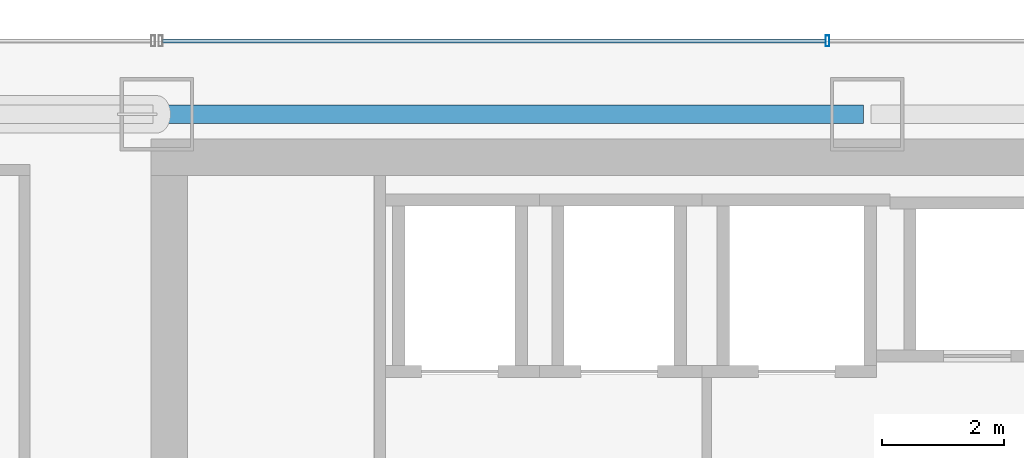
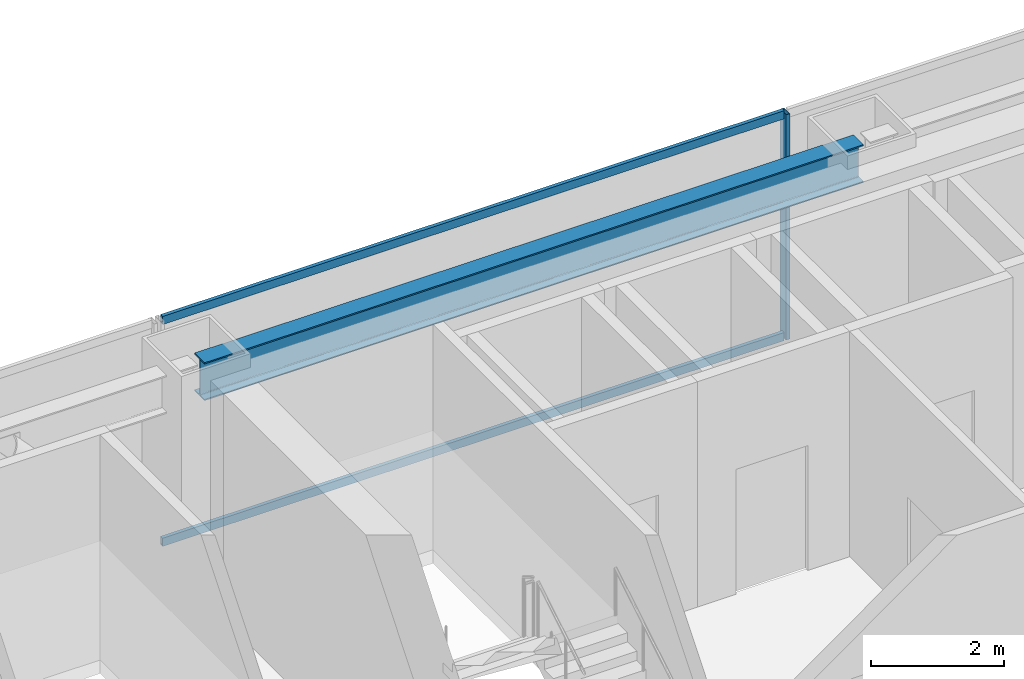
# One storey, part 27 of 47: 3 members, 1 beam, 1 element without a shape of its own.
"""IFC4 building model written with IfcOpenShell, lengths in metres."""

from ifc_helpers import new_model, si_unit, direction, frame, origin, origin_2d, place, context, subcontext, project, spatial, hollow_rectangle, i_section, extrude, material, material_profile, profile_set, type_object, element, aggregate, save


model = new_model("IFC4")

# Units and contexts
model_context = context("Model", 3, precision=1e-05, world=origin(), true_north=direction((0.0, 1.0)))
body_context = subcontext(model_context, "Body", "Model", "MODEL_VIEW")
ifc_project = project(units=[si_unit("LENGTHUNIT", "METRE"), si_unit("AREAUNIT", "SQUARE_METRE"), si_unit("VOLUMEUNIT", "CUBIC_METRE"), si_unit("PLANEANGLEUNIT", "RADIAN"), si_unit("MASSUNIT", "GRAM", prefix="KILO")], contexts=[model_context])

# Site, building, storey
site_placement = place(None, origin())
site = spatial("IfcSite", under=ifc_project, at=site_placement, CompositionType="ELEMENT")
building_placement = place(site_placement, origin())
building = spatial("IfcBuilding", under=site, at=building_placement, Name="Saevonmaru Cultural Tower", CompositionType="ELEMENT")
storey_placement = place(building_placement, frame((0.0, 0.0, 69.199951171875)))
storey = spatial("IfcBuildingStorey", under=building, at=storey_placement, Name="L14", CompositionType="ELEMENT", Elevation=69.199951171875)

# Beam
ifc_material_1 = material(Name="Steel SM355", Category="steel")
ifc_material_profile_1 = material_profile(ifc_material_1, i_section(OverallWidth=0.300048828125, OverallDepth=0.699951171875, WebThickness=0.012939453125, FlangeThickness=0.02392578125, FilletRadius=0.02587890625, at=origin_2d()), Name="H-700x300x13x24")
ifc_profile_set_1 = profile_set([ifc_material_profile_1], Name="Steel SM355")
beam_type = type_object("IfcBeamType", Name="BM-SP-H700", PredefinedType="SPANDREL", material=ifc_profile_set_1)
beam_placement = place(storey_placement, frame((13.659912109375, 54.800048828125, 3.800048828125), z_axis=(1.0, 0.0, 0.0), x_axis=(0.0, 1.0, 0.0)))
element("IfcBeam", 1, at=beam_placement, inside=storey, type_object=beam_type, Name="L14 North Spine Girder 2", PredefinedType="SPANDREL", context=body_context, shape_type="SweptSolid", body=[
    extrude(i_section(OverallWidth=0.300048828125, OverallDepth=0.699951171875, WebThickness=0.012939453125, FlangeThickness=0.02392578125, FilletRadius=0.02587890625, at=origin_2d()), origin(), (0.0, 0.0, 1.0), 11.47998046875),
])

# Curtain wall, members
ifc_material_2 = material(Name="Satin Bronze Anodised Aluminium", Category="aluminium")
curtain_wall_type = type_object("IfcCurtainWallType", Name="CW-TYP-A", PredefinedType="NOTDEFINED", material=ifc_material_2)
curtain_wall_placement = place(storey_placement, origin())
curtain_wall = element("IfcCurtainWall", 2, at=curtain_wall_placement, inside=storey, type_object=curtain_wall_type, Name="L14 North Spine Unitised Curtain Wall E10B", PredefinedType="NOTDEFINED")
ifc_material_profile_2 = material_profile(ifc_material_2, hollow_rectangle(XDim=0.06494140625, YDim=0.179931640625, WallThickness=0.00390625, at=origin_2d()), Name="ALU-MULL-180x65x4")
ifc_profile_set_2 = profile_set([ifc_material_profile_2], Name="Satin Bronze Anodised Aluminium")
member_type_1 = type_object("IfcMemberType", Name="ML-CW-180x65", PredefinedType="MULLION", material=ifc_profile_set_2)
member_1_placement = place(storey_placement, frame((24.55322265625, 56.0, 0.0), z_axis=(0.0, 0.0, 1.0), x_axis=(-1.0, 0.0, 0.0)))
member_1 = element("IfcMember", 3, at=member_1_placement, type_object=member_type_1, Name="CW-TW-L14-E10B mullion 3", PredefinedType="MULLION", context=body_context, shape_type="SweptSolid", body=[
    extrude(hollow_rectangle(XDim=0.06494140625, YDim=0.179931640625, WallThickness=0.00390625, at=origin_2d()), origin(), (0.0, 0.0, 1.0), 4.150146484375),
])
ifc_material_profile_3 = material_profile(ifc_material_2, hollow_rectangle(XDim=0.06494140625, YDim=0.14990234375, WallThickness=0.00390625, at=origin_2d()), Name="ALU-TRAN-150x65x4")
ifc_profile_set_3 = profile_set([ifc_material_profile_3], Name="Satin Bronze Anodised Aluminium")
member_type_2 = type_object("IfcMemberType", Name="TR-CW-150x65", PredefinedType="USERDEFINED", material=ifc_profile_set_3)
member_2_placement = place(storey_placement, frame((24.520751953125, 56.0, 0.032470703125), z_axis=(-1.0, 0.0, 0.0), x_axis=(0.0, -1.0, 0.0)))
member_2 = element("IfcMember", 4, at=member_2_placement, type_object=member_type_2, Name="CW-TW-L14-E10B transom 3.1", ObjectType="TRANSOM", PredefinedType="USERDEFINED", context=body_context, shape_type="SweptSolid", body=[
    extrude(hollow_rectangle(XDim=0.06494140625, YDim=0.14990234375, WallThickness=0.00390625, at=origin_2d()), origin(), (0.0, 0.0, 1.0), 10.828369140625),
])
member_3_placement = place(storey_placement, frame((24.520751953125, 56.0, 4.117431640625), z_axis=(-1.0, 0.0, 0.0), x_axis=(0.0, -1.0, 0.0)))
member_3 = element("IfcMember", 5, at=member_3_placement, type_object=member_type_2, Name="CW-TW-L14-E10B transom 3.2", ObjectType="TRANSOM", PredefinedType="USERDEFINED", context=body_context, shape_type="SweptSolid", body=[
    extrude(hollow_rectangle(XDim=0.06494140625, YDim=0.14990234375, WallThickness=0.00390625, at=origin_2d()), origin(), (0.0, 0.0, 1.0), 10.828369140625),
])
aggregate(curtain_wall, [member_1, member_2, member_3])

save(model, "model.ifc")
